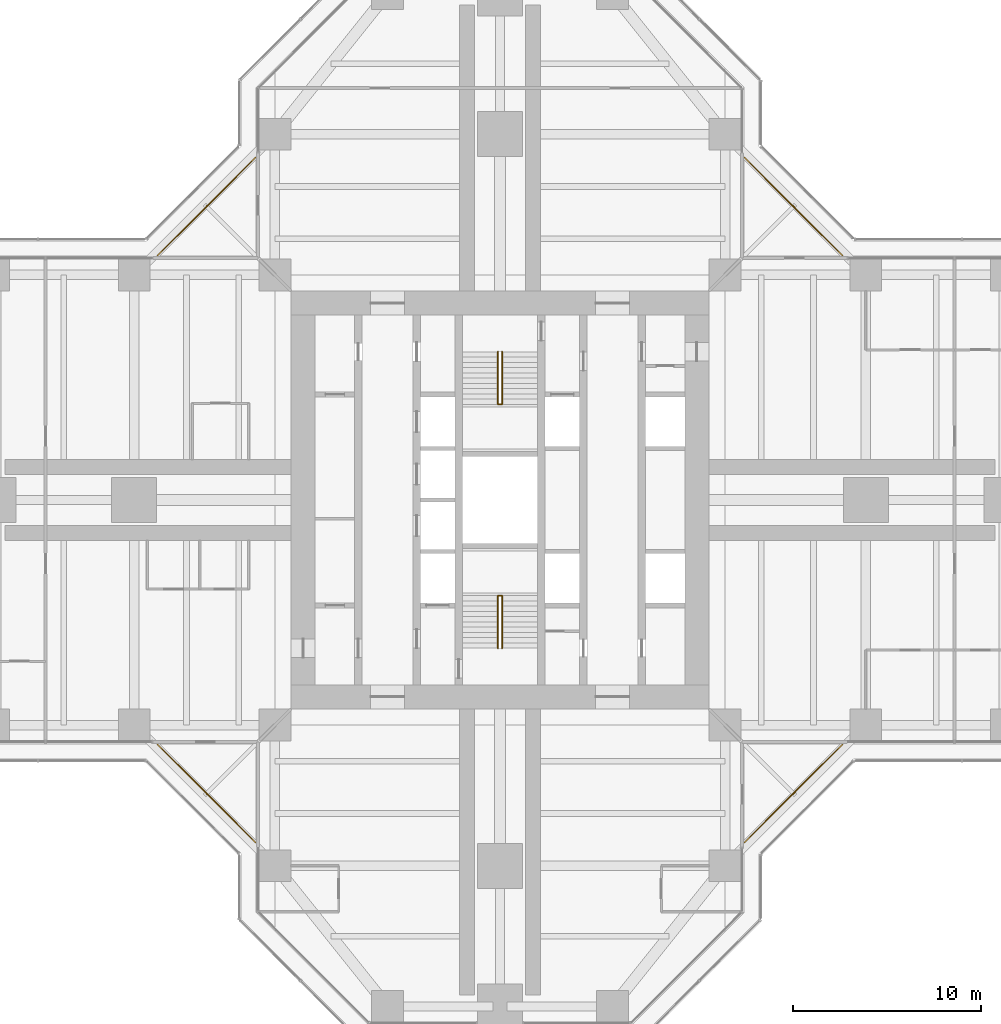
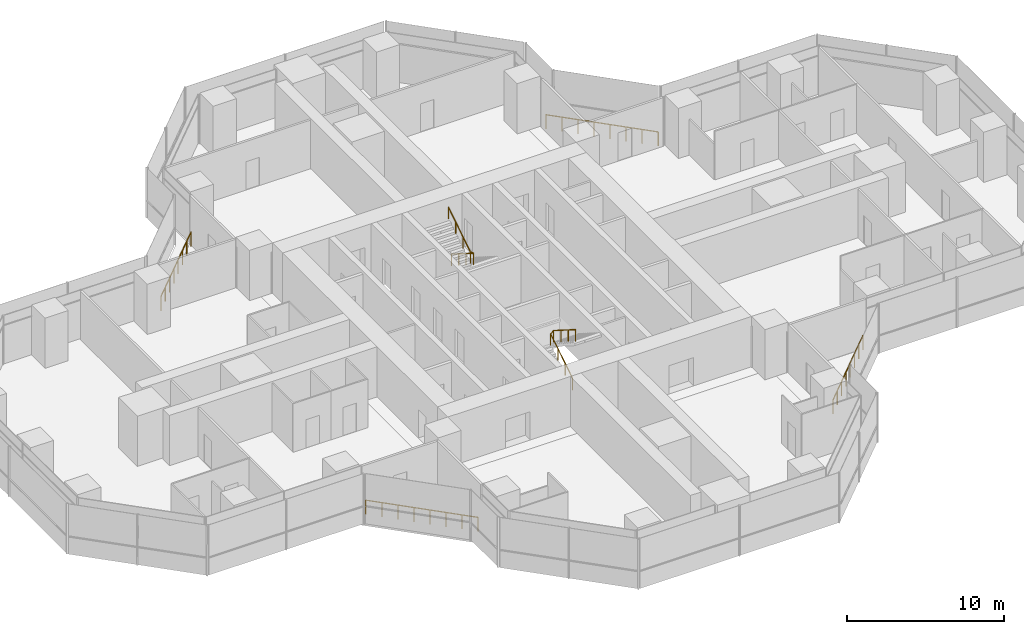
# One storey, part 20 of 20: 6 railings.
"""IFC4 building model written with IfcOpenShell, lengths in metres."""

from ifc_helpers import new_model, si_unit, direction, frame, origin, origin_2d, place, context, subcontext, project, spatial, circle, extrude, material, type_object, element, save


model = new_model("IFC4")

# Units and contexts
model_context = context("Model", 3, precision=1e-05, world=origin(), true_north=direction((0.0, 1.0)))
body_context = subcontext(model_context, "Body", "Model", "MODEL_VIEW")
ifc_project = project(units=[si_unit("LENGTHUNIT", "METRE"), si_unit("AREAUNIT", "SQUARE_METRE"), si_unit("VOLUMEUNIT", "CUBIC_METRE"), si_unit("PLANEANGLEUNIT", "RADIAN"), si_unit("MASSUNIT", "GRAM", prefix="KILO")], contexts=[model_context])

# Site, building, storey
site_placement = place(None, origin())
site = spatial("IfcSite", under=ifc_project, at=site_placement, CompositionType="ELEMENT")
building_placement = place(site_placement, origin())
building = spatial("IfcBuilding", under=site, at=building_placement, Name="Mizan Broadcast Tower", CompositionType="ELEMENT")
storey_placement = place(building_placement, frame((0.0, 0.0, 135.89990234375)))
storey = spatial("IfcBuildingStorey", under=building, at=storey_placement, Name="L30", CompositionType="ELEMENT", Elevation=135.89990234375)

# Railings
ifc_material_1 = material(Name="Stainless steel and glass guard", Category="steel")
railing_type_1 = type_object("IfcRailingType", Name="GUARD 1100", PredefinedType="GUARDRAIL", material=ifc_material_1)
railing_1_placement = place(storey_placement, frame((18.2578125, 13.030029296875, 0.0)))
element("IfcRailing", 1, at=railing_1_placement, inside=storey, type_object=railing_type_1, Name="Winter garden guard L30 E", PredefinedType="GUARDRAIL", context=body_context, shape_type="SweptSolid", body=[
    extrude(circle(Radius=0.02392578125, at=origin_2d()), frame((0.0, 0.0, 1.076171875), z_axis=(-0.707106781187, 0.707106781187, 0.0), x_axis=(-0.707106781187, -0.707106781187, 0.0)), (0.0, 0.0, 1.0), 7.393310546875),
    extrude(circle(Radius=0.02099609375, at=origin_2d()), origin(), (0.0, 0.0, 1.0), 1.052001953125),
    extrude(circle(Radius=0.02099609375, at=origin_2d()), frame((-0.746826171875, 0.746826171875, 0.0)), (0.0, 0.0, 1.0), 1.052001953125),
    extrude(circle(Radius=0.02099609375, at=origin_2d()), frame((-1.49365234375, 1.49365234375, 0.0)), (0.0, 0.0, 1.0), 1.052001953125),
    extrude(circle(Radius=0.02099609375, at=origin_2d()), frame((-2.240478515625, 2.240478515625, 0.0)), (0.0, 0.0, 1.0), 1.052001953125),
    extrude(circle(Radius=0.02099609375, at=origin_2d()), frame((-2.9873046875, 2.9873046875, 0.0)), (0.0, 0.0, 1.0), 1.052001953125),
    extrude(circle(Radius=0.02099609375, at=origin_2d()), frame((-3.734130859375, 3.734130859375, 0.0)), (0.0, 0.0, 1.0), 1.052001953125),
    extrude(circle(Radius=0.02099609375, at=origin_2d()), frame((-4.48095703125, 4.48095703125, 0.0)), (0.0, 0.0, 1.0), 1.052001953125),
    extrude(circle(Radius=0.02099609375, at=origin_2d()), frame((-5.227783203125, 5.227783203125, 0.0)), (0.0, 0.0, 1.0), 1.052001953125),
])
railing_2_placement = place(storey_placement, frame((-13.030029296875, 18.2578125, 0.0)))
element("IfcRailing", 2, at=railing_2_placement, inside=storey, type_object=railing_type_1, Name="Winter garden guard L30 N", PredefinedType="GUARDRAIL", context=body_context, shape_type="SweptSolid", body=[
    extrude(circle(Radius=0.02392578125, at=origin_2d()), frame((0.0, 0.0, 1.076171875), z_axis=(-0.707106781187, -0.707106781187, 0.0), x_axis=(0.707106781187, -0.707106781187, 0.0)), (0.0, 0.0, 1.0), 7.393310546875),
    extrude(circle(Radius=0.02099609375, at=origin_2d()), origin(), (0.0, 0.0, 1.0), 1.052001953125),
    extrude(circle(Radius=0.02099609375, at=origin_2d()), frame((-0.746826171875, -0.746826171875, 0.0)), (0.0, 0.0, 1.0), 1.052001953125),
    extrude(circle(Radius=0.02099609375, at=origin_2d()), frame((-1.49365234375, -1.49365234375, 0.0)), (0.0, 0.0, 1.0), 1.052001953125),
    extrude(circle(Radius=0.02099609375, at=origin_2d()), frame((-2.240478515625, -2.240478515625, 0.0)), (0.0, 0.0, 1.0), 1.052001953125),
    extrude(circle(Radius=0.02099609375, at=origin_2d()), frame((-2.9873046875, -2.9873046875, 0.0)), (0.0, 0.0, 1.0), 1.052001953125),
    extrude(circle(Radius=0.02099609375, at=origin_2d()), frame((-3.734130859375, -3.734130859375, 0.0)), (0.0, 0.0, 1.0), 1.052001953125),
    extrude(circle(Radius=0.02099609375, at=origin_2d()), frame((-4.48095703125, -4.48095703125, 0.0)), (0.0, 0.0, 1.0), 1.052001953125),
    extrude(circle(Radius=0.02099609375, at=origin_2d()), frame((-5.227783203125, -5.227783203125, 0.0)), (0.0, 0.0, 1.0), 1.052001953125),
])
railing_3_placement = place(storey_placement, frame((-18.2578125, -13.030029296875, 0.0)))
element("IfcRailing", 3, at=railing_3_placement, inside=storey, type_object=railing_type_1, Name="Winter garden guard L30 W", PredefinedType="GUARDRAIL", context=body_context, shape_type="SweptSolid", body=[
    extrude(circle(Radius=0.02392578125, at=origin_2d()), frame((0.0, 0.0, 1.076171875), z_axis=(0.707106781187, -0.707106781187, 0.0), x_axis=(0.707106781187, 0.707106781187, 0.0)), (0.0, 0.0, 1.0), 7.393310546875),
    extrude(circle(Radius=0.02099609375, at=origin_2d()), origin(), (0.0, 0.0, 1.0), 1.052001953125),
    extrude(circle(Radius=0.02099609375, at=origin_2d()), frame((0.746826171875, -0.746826171875, 0.0)), (0.0, 0.0, 1.0), 1.052001953125),
    extrude(circle(Radius=0.02099609375, at=origin_2d()), frame((1.49365234375, -1.49365234375, 0.0)), (0.0, 0.0, 1.0), 1.052001953125),
    extrude(circle(Radius=0.02099609375, at=origin_2d()), frame((2.240478515625, -2.240478515625, 0.0)), (0.0, 0.0, 1.0), 1.052001953125),
    extrude(circle(Radius=0.02099609375, at=origin_2d()), frame((2.9873046875, -2.9873046875, 0.0)), (0.0, 0.0, 1.0), 1.052001953125),
    extrude(circle(Radius=0.02099609375, at=origin_2d()), frame((3.734130859375, -3.734130859375, 0.0)), (0.0, 0.0, 1.0), 1.052001953125),
    extrude(circle(Radius=0.02099609375, at=origin_2d()), frame((4.48095703125, -4.48095703125, 0.0)), (0.0, 0.0, 1.0), 1.052001953125),
    extrude(circle(Radius=0.02099609375, at=origin_2d()), frame((5.227783203125, -5.227783203125, 0.0)), (0.0, 0.0, 1.0), 1.052001953125),
])
railing_4_placement = place(storey_placement, frame((13.030029296875, -18.2578125, 0.0)))
element("IfcRailing", 4, at=railing_4_placement, inside=storey, type_object=railing_type_1, Name="Winter garden guard L30 S", PredefinedType="GUARDRAIL", context=body_context, shape_type="SweptSolid", body=[
    extrude(circle(Radius=0.02392578125, at=origin_2d()), frame((0.0, 0.0, 1.076171875), z_axis=(0.707106781187, 0.707106781187, 0.0), x_axis=(-0.707106781187, 0.707106781187, 0.0)), (0.0, 0.0, 1.0), 7.393310546875),
    extrude(circle(Radius=0.02099609375, at=origin_2d()), origin(), (0.0, 0.0, 1.0), 1.052001953125),
    extrude(circle(Radius=0.02099609375, at=origin_2d()), frame((0.746826171875, 0.746826171875, 0.0)), (0.0, 0.0, 1.0), 1.052001953125),
    extrude(circle(Radius=0.02099609375, at=origin_2d()), frame((1.49365234375, 1.49365234375, 0.0)), (0.0, 0.0, 1.0), 1.052001953125),
    extrude(circle(Radius=0.02099609375, at=origin_2d()), frame((2.240478515625, 2.240478515625, 0.0)), (0.0, 0.0, 1.0), 1.052001953125),
    extrude(circle(Radius=0.02099609375, at=origin_2d()), frame((2.9873046875, 2.9873046875, 0.0)), (0.0, 0.0, 1.0), 1.052001953125),
    extrude(circle(Radius=0.02099609375, at=origin_2d()), frame((3.734130859375, 3.734130859375, 0.0)), (0.0, 0.0, 1.0), 1.052001953125),
    extrude(circle(Radius=0.02099609375, at=origin_2d()), frame((4.48095703125, 4.48095703125, 0.0)), (0.0, 0.0, 1.0), 1.052001953125),
    extrude(circle(Radius=0.02099609375, at=origin_2d()), frame((5.227783203125, 5.227783203125, 0.0)), (0.0, 0.0, 1.0), 1.052001953125),
])
ifc_material_2 = material(Name="Stainless steel", Category="steel")
railing_type_2 = type_object("IfcRailingType", Name="HANDRAIL 50", PredefinedType="HANDRAIL", material=ifc_material_2)
railing_5_placement = place(storey_placement, frame((-0.110107421875, -7.89990234375, 0.177490234375)))
element("IfcRailing", 5, at=railing_5_placement, inside=storey, type_object=railing_type_2, Name="Stair A handrail", PredefinedType="HANDRAIL", context=body_context, shape_type="SweptSolid", body=[
    extrude(circle(Radius=0.02392578125, at=origin_2d()), frame((0.0, 0.0, 0.8759765625), z_axis=(0.0, 0.844887892834, 0.53494340686), x_axis=(-1.0, 0.0, 0.0)), (0.0, 0.0, 1.0), 3.313720703125),
    extrude(circle(Radius=0.02392578125, at=origin_2d()), frame((0.0, 2.7998046875, 2.6484375), z_axis=(0.779011685263, 0.0, 0.627009405212), x_axis=(0.0, 1.0, 0.0)), (0.0, 0.0, 1.0), 0.28271484375),
    extrude(circle(Radius=0.02392578125, at=origin_2d()), frame((0.22021484375, 2.7998046875, 2.82568359375), z_axis=(0.0, -0.844887892834, 0.53494340686), x_axis=(1.0, 0.0, 0.0)), (0.0, 0.0, 1.0), 3.313720703125),
    extrude(circle(Radius=0.02099609375, at=origin_2d()), origin(), (0.0, 0.0, 1.0), 0.851806640625),
    extrude(circle(Radius=0.02099609375, at=origin_2d()), frame((0.0, 0.933349609375, 0.5908203125)), (0.0, 0.0, 1.0), 0.851806640625),
    extrude(circle(Radius=0.02099609375, at=origin_2d()), frame((0.0, 1.866455078125, 1.181884765625)), (0.0, 0.0, 1.0), 0.851806640625),
    extrude(circle(Radius=0.02099609375, at=origin_2d()), frame((0.0, 2.7998046875, 1.772705078125)), (0.0, 0.0, 1.0), 0.851806640625),
    extrude(circle(Radius=0.02099609375, at=origin_2d()), frame((0.22021484375, 2.7998046875, 1.949951171875)), (0.0, 0.0, 1.0), 0.851806640625),
    extrude(circle(Radius=0.02099609375, at=origin_2d()), frame((0.22021484375, 1.866455078125, 2.540771484375)), (0.0, 0.0, 1.0), 0.851806640625),
    extrude(circle(Radius=0.02099609375, at=origin_2d()), frame((0.22021484375, 0.933349609375, 3.1318359375)), (0.0, 0.0, 1.0), 0.851806640625),
    extrude(circle(Radius=0.02099609375, at=origin_2d()), frame((0.22021484375, 0.0, 3.72265625)), (0.0, 0.0, 1.0), 0.851806640625),
])
railing_6_placement = place(storey_placement, frame((0.110107421875, 7.89990234375, 0.177490234375)))
element("IfcRailing", 6, at=railing_6_placement, inside=storey, type_object=railing_type_2, Name="Stair B handrail", PredefinedType="HANDRAIL", context=body_context, shape_type="SweptSolid", body=[
    extrude(circle(Radius=0.02392578125, at=origin_2d()), frame((0.0, 0.0, 0.8759765625), z_axis=(0.0, -0.844887892834, 0.53494340686), x_axis=(1.0, 0.0, 0.0)), (0.0, 0.0, 1.0), 3.313720703125),
    extrude(circle(Radius=0.02392578125, at=origin_2d()), frame((0.0, -2.7998046875, 2.6484375), z_axis=(-0.779011685263, 0.0, 0.627009405212), x_axis=(0.0, -1.0, 0.0)), (0.0, 0.0, 1.0), 0.28271484375),
    extrude(circle(Radius=0.02392578125, at=origin_2d()), frame((-0.22021484375, -2.7998046875, 2.82568359375), z_axis=(0.0, 0.844887892834, 0.53494340686), x_axis=(-1.0, 0.0, 0.0)), (0.0, 0.0, 1.0), 3.313720703125),
    extrude(circle(Radius=0.02099609375, at=origin_2d()), origin(), (0.0, 0.0, 1.0), 0.851806640625),
    extrude(circle(Radius=0.02099609375, at=origin_2d()), frame((0.0, -0.933349609375, 0.5908203125)), (0.0, 0.0, 1.0), 0.851806640625),
    extrude(circle(Radius=0.02099609375, at=origin_2d()), frame((0.0, -1.866455078125, 1.181884765625)), (0.0, 0.0, 1.0), 0.851806640625),
    extrude(circle(Radius=0.02099609375, at=origin_2d()), frame((0.0, -2.7998046875, 1.772705078125)), (0.0, 0.0, 1.0), 0.851806640625),
    extrude(circle(Radius=0.02099609375, at=origin_2d()), frame((-0.22021484375, -2.7998046875, 1.949951171875)), (0.0, 0.0, 1.0), 0.851806640625),
    extrude(circle(Radius=0.02099609375, at=origin_2d()), frame((-0.22021484375, -1.866455078125, 2.540771484375)), (0.0, 0.0, 1.0), 0.851806640625),
    extrude(circle(Radius=0.02099609375, at=origin_2d()), frame((-0.22021484375, -0.933349609375, 3.1318359375)), (0.0, 0.0, 1.0), 0.851806640625),
    extrude(circle(Radius=0.02099609375, at=origin_2d()), frame((-0.22021484375, 0.0, 3.72265625)), (0.0, 0.0, 1.0), 0.851806640625),
])

save(model, "model.ifc")
